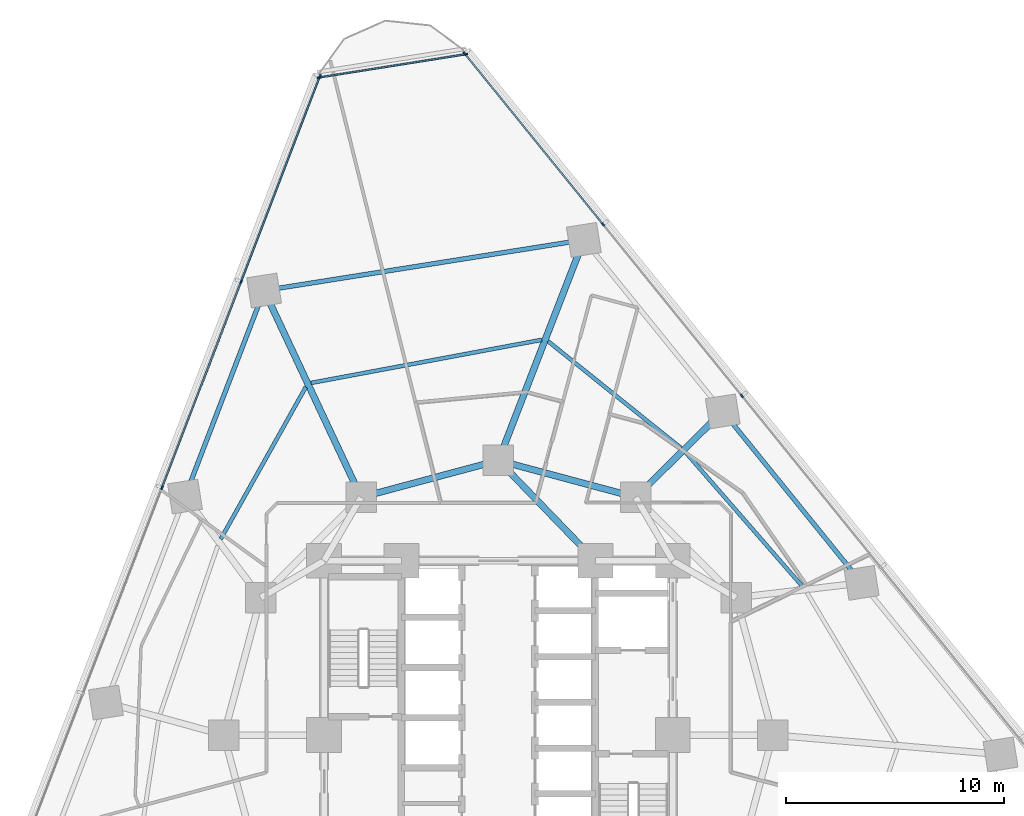
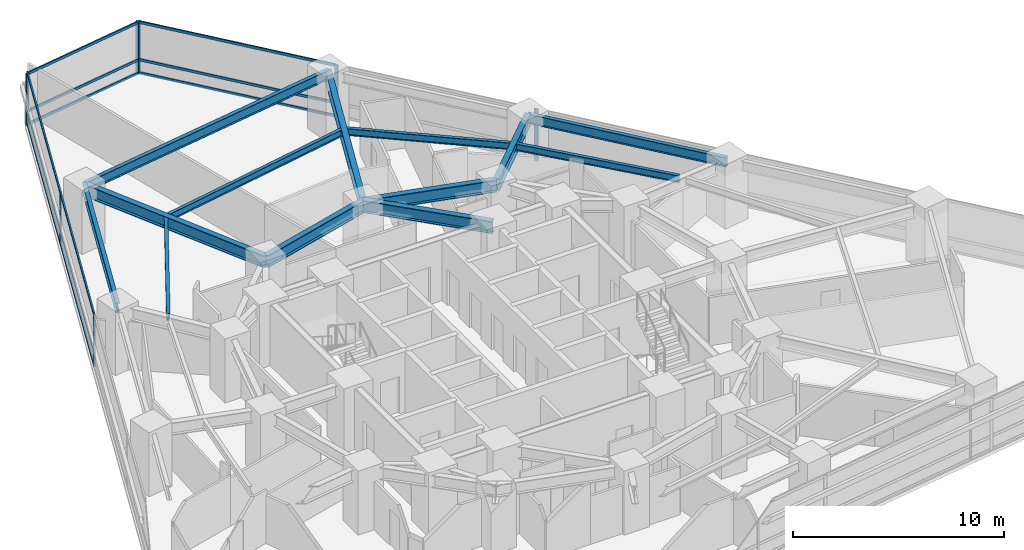
# One storey, part 5 of 14: 20 members, 13 beams, 3 elements without a shape of their own.
"""IFC4 building model written with IfcOpenShell, lengths in metres."""

from ifc_helpers import new_model, si_unit, direction, frame, origin, origin_2d, place, context, subcontext, project, spatial, rectangle, i_section, extrude, material, layer, layer_set, material_profile, profile_set, type_object, element, aggregate, save


model = new_model("IFC4")

# Units and contexts
model_context = context("Model", 3, precision=1e-05, world=origin(), true_north=direction((0.0, 1.0)))
body_context = subcontext(model_context, "Body", "Model", "MODEL_VIEW")
ifc_project = project(units=[si_unit("LENGTHUNIT", "METRE"), si_unit("AREAUNIT", "SQUARE_METRE"), si_unit("VOLUMEUNIT", "CUBIC_METRE"), si_unit("PLANEANGLEUNIT", "RADIAN"), si_unit("MASSUNIT", "GRAM", prefix="KILO")], contexts=[model_context])

# Site, building, storey
site_placement = place(None, origin())
site = spatial("IfcSite", under=ifc_project, at=site_placement, CompositionType="ELEMENT")
building_placement = place(site_placement, origin())
building = spatial("IfcBuilding", under=site, at=building_placement, Name="Terralouvre Media Tower", CompositionType="ELEMENT")
storey_placement = place(building_placement, frame((0.0, 0.0, 66.699951171875)))
storey = spatial("IfcBuildingStorey", under=building, at=storey_placement, Name="L16", CompositionType="ELEMENT", Elevation=66.699951171875)

# Beams
ifc_material_1 = material(Name="Structural steel S355J2", Category="steel")
ifc_material_profile_1 = material_profile(ifc_material_1, i_section(OverallWidth=0.179931640625, OverallDepth=0.39990234375, WebThickness=0.008544921875, FlangeThickness=0.013427734375, at=origin_2d()), Name="IPE 400")
ifc_profile_set_1 = profile_set([ifc_material_profile_1], Name="Structural steel S355J2")
beam_type_1 = type_object("IfcBeamType", Name="Composite Floor Joist J-IPE400 (IPE 400)", PredefinedType="JOIST", material=ifc_profile_set_1)
beam_1_placement = place(storey_placement, frame((13.96044921875, 6.810791015625, 3.300048828125), z_axis=(-0.656991876482, 0.753897655014, 0.0), x_axis=(-0.753897655014, -0.656991876482, 0.0)))
element("IfcBeam", 1, at=beam_1_placement, inside=storey, type_object=beam_type_1, Name="L16 Framing Beam JT-L16-07", PredefinedType="JOIST", context=body_context, shape_type="SweptSolid", body=[
    extrude(i_section(OverallWidth=0.179931640625, OverallDepth=0.39990234375, WebThickness=0.008544921875, FlangeThickness=0.013427734375, at=origin_2d()), origin(), (0.0, 0.0, 1.0), 8.165283203125),
])
beam_2_placement = place(storey_placement, frame((8.380615234375, 13.173583984375, 3.300048828125), z_axis=(-0.779905972593, 0.62589669588, 0.0), x_axis=(-0.62589669588, -0.779905972593, 0.0)))
element("IfcBeam", 2, at=beam_2_placement, inside=storey, type_object=beam_type_1, Name="L16 Framing Beam JT-L16-08", PredefinedType="JOIST", context=body_context, shape_type="SweptSolid", body=[
    extrude(i_section(OverallWidth=0.179931640625, OverallDepth=0.39990234375, WebThickness=0.008544921875, FlangeThickness=0.013427734375, at=origin_2d()), origin(), (0.0, 0.0, 1.0), 7.82470703125),
])
beam_3_placement = place(storey_placement, frame((1.985595703125, 18.13623046875, 3.300048828125), z_axis=(-0.982984181952, -0.183690223017, 0.0), x_axis=(0.183690223017, -0.982984181952, 0.0)))
element("IfcBeam", 3, at=beam_3_placement, inside=storey, type_object=beam_type_1, Name="L16 Framing Beam JT-L16-09", PredefinedType="JOIST", context=body_context, shape_type="SweptSolid", body=[
    extrude(i_section(OverallWidth=0.179931640625, OverallDepth=0.39990234375, WebThickness=0.008544921875, FlangeThickness=0.013427734375, at=origin_2d()), origin(), (0.0, 0.0, 1.0), 10.766845703125),
])
beam_4_placement = place(storey_placement, frame((-8.837646484375, 15.97119140625, 3.300048828125), z_axis=(-0.488342920388, -0.87265181608, 0.0), x_axis=(0.87265181608, -0.488342920388, 0.0)))
element("IfcBeam", 4, at=beam_4_placement, inside=storey, type_object=beam_type_1, Name="L16 Framing Beam JT-L16-10", PredefinedType="JOIST", context=body_context, shape_type="SweptSolid", body=[
    extrude(i_section(OverallWidth=0.179931640625, OverallDepth=0.39990234375, WebThickness=0.008544921875, FlangeThickness=0.013427734375, at=origin_2d()), origin(), (0.0, 0.0, 1.0), 7.992919921875),
])

# Curtain wall, members
ifc_material_2 = material(Name="Low-iron laminated double glazing with solar-control coating", Category="glass")
ifc_layer_1 = layer(ifc_material_2, 0.1650390625, Name="Lower Media Tower Unitised Curtain Wall CW-02")
ifc_layer_set_1 = layer_set([ifc_layer_1], Name="Low-iron laminated double glazing with solar-control coating")
curtain_wall_type_1 = type_object("IfcCurtainWallType", Name="Lower Media Tower Unitised Curtain Wall CW-02", PredefinedType="NOTDEFINED", material=ifc_layer_set_1)
curtain_wall_1_placement = place(storey_placement, origin())
curtain_wall_1 = element("IfcCurtainWall", 5, at=curtain_wall_1_placement, inside=storey, type_object=curtain_wall_type_1, Name="L16 Facade Curtain Wall F1", PredefinedType="NOTDEFINED")
ifc_material_3 = material(Name="Anodised extruded aluminium 6063-T6", Category="aluminium")
ifc_material_profile_2 = material_profile(ifc_material_3, rectangle(XDim=0.074951171875, YDim=0.14990234375, at=origin_2d()), Name="ALU 75x150")
ifc_profile_set_2 = profile_set([ifc_material_profile_2], Name="Anodised extruded aluminium 6063-T6")
member_type_1 = type_object("IfcMemberType", Name="Curtain-Wall Horizontal Transom TR-150", PredefinedType="USERDEFINED", material=ifc_profile_set_2)
member_1_placement = place(storey_placement, frame((4.7763671875, 23.46435546875, 0.03759765625), z_axis=(-0.629312521445, 0.777152334071, 0.0), x_axis=(-0.777152334071, -0.629312521445, 0.0)))
member_1 = element("IfcMember", 6, at=member_1_placement, type_object=member_type_1, Name="CW-02 transom 5.1", ObjectType="TRANSOM", PredefinedType="USERDEFINED", context=body_context, shape_type="SweptSolid", body=[
    extrude(rectangle(XDim=0.074951171875, YDim=0.14990234375, at=origin_2d()), origin(), (0.0, 0.0, 1.0), 10.015625),
])
member_2_placement = place(storey_placement, frame((4.7763671875, 23.46435546875, 0.800048828125), z_axis=(-0.629312521445, 0.777152334071, 0.0), x_axis=(-0.777152334071, -0.629312521445, 0.0)))
member_2 = element("IfcMember", 7, at=member_2_placement, type_object=member_type_1, Name="CW-02 transom 5.2", ObjectType="TRANSOM", PredefinedType="USERDEFINED", context=body_context, shape_type="SweptSolid", body=[
    extrude(rectangle(XDim=0.074951171875, YDim=0.14990234375, at=origin_2d()), origin(), (0.0, 0.0, 1.0), 10.015625),
])
member_3_placement = place(storey_placement, frame((4.7763671875, 23.46435546875, 2.962646484375), z_axis=(-0.629312521445, 0.777152334071, 0.0), x_axis=(-0.777152334071, -0.629312521445, 0.0)))
member_3 = element("IfcMember", 8, at=member_3_placement, type_object=member_type_1, Name="CW-02 transom 5.3", ObjectType="TRANSOM", PredefinedType="USERDEFINED", context=body_context, shape_type="SweptSolid", body=[
    extrude(rectangle(XDim=0.074951171875, YDim=0.14990234375, at=origin_2d()), origin(), (0.0, 0.0, 1.0), 10.015625),
])

curtain_wall_2_placement = place(storey_placement, origin())
curtain_wall_2 = element("IfcCurtainWall", 9, at=curtain_wall_2_placement, inside=storey, type_object=curtain_wall_type_1, Name="L16 Facade Curtain Wall F2", PredefinedType="NOTDEFINED")
member_4_placement = place(storey_placement, frame((-8.2041015625, 30.1904296875, 0.03759765625), z_axis=(-0.358376263354, -0.933577235083, 0.0), x_axis=(0.933577235083, -0.358376263354, 0.0)))
member_4 = element("IfcMember", 10, at=member_4_placement, type_object=member_type_1, Name="CW-02 transom 1.1", ObjectType="TRANSOM", PredefinedType="USERDEFINED", context=body_context, shape_type="SweptSolid", body=[
    extrude(rectangle(XDim=0.074951171875, YDim=0.14990234375, at=origin_2d()), origin(), (0.0, 0.0, 1.0), 10.015625),
])
member_5_placement = place(storey_placement, frame((-8.2041015625, 30.1904296875, 0.800048828125), z_axis=(-0.358376263354, -0.933577235083, 0.0), x_axis=(0.933577235083, -0.358376263354, 0.0)))
member_5 = element("IfcMember", 11, at=member_5_placement, type_object=member_type_1, Name="CW-02 transom 1.2", ObjectType="TRANSOM", PredefinedType="USERDEFINED", context=body_context, shape_type="SweptSolid", body=[
    extrude(rectangle(XDim=0.074951171875, YDim=0.14990234375, at=origin_2d()), origin(), (0.0, 0.0, 1.0), 10.015625),
])
member_6_placement = place(storey_placement, frame((-8.2041015625, 30.1904296875, 2.962646484375), z_axis=(-0.358376263354, -0.933577235083, 0.0), x_axis=(0.933577235083, -0.358376263354, 0.0)))
member_6 = element("IfcMember", 12, at=member_6_placement, type_object=member_type_1, Name="CW-02 transom 1.3", ObjectType="TRANSOM", PredefinedType="USERDEFINED", context=body_context, shape_type="SweptSolid", body=[
    extrude(rectangle(XDim=0.074951171875, YDim=0.14990234375, at=origin_2d()), origin(), (0.0, 0.0, 1.0), 10.015625),
])
member_7_placement = place(storey_placement, frame((-11.8203125, 20.77001953125, 0.03759765625), z_axis=(-0.358357340084, -0.933584499019, 0.0), x_axis=(0.933584499019, -0.358357340084, 0.0)))
member_7 = element("IfcMember", 13, at=member_7_placement, type_object=member_type_1, Name="CW-02 transom 2.1", ObjectType="TRANSOM", PredefinedType="USERDEFINED", context=body_context, shape_type="SweptSolid", body=[
    extrude(rectangle(XDim=0.074951171875, YDim=0.14990234375, at=origin_2d()), origin(), (0.0, 0.0, 1.0), 10.052978515625),
])
member_8_placement = place(storey_placement, frame((-11.8203125, 20.77001953125, 0.800048828125), z_axis=(-0.358357340084, -0.933584499019, 0.0), x_axis=(0.933584499019, -0.358357340084, 0.0)))
member_8 = element("IfcMember", 14, at=member_8_placement, type_object=member_type_1, Name="CW-02 transom 2.2", ObjectType="TRANSOM", PredefinedType="USERDEFINED", context=body_context, shape_type="SweptSolid", body=[
    extrude(rectangle(XDim=0.074951171875, YDim=0.14990234375, at=origin_2d()), origin(), (0.0, 0.0, 1.0), 10.052978515625),
])
member_9_placement = place(storey_placement, frame((-11.8203125, 20.77001953125, 2.962646484375), z_axis=(-0.358357340084, -0.933584499019, 0.0), x_axis=(0.933584499019, -0.358357340084, 0.0)))
member_9 = element("IfcMember", 15, at=member_9_placement, type_object=member_type_1, Name="CW-02 transom 2.3", ObjectType="TRANSOM", PredefinedType="USERDEFINED", context=body_context, shape_type="SweptSolid", body=[
    extrude(rectangle(XDim=0.074951171875, YDim=0.14990234375, at=origin_2d()), origin(), (0.0, 0.0, 1.0), 10.052978515625),
])

ifc_material_4 = material(Name="Low-iron laminated double glazing with solar-control coating", Category="glass")
ifc_layer_2 = layer(ifc_material_4, 0.1650390625, Name="Rounded Wind-Corner Curved Glazing CW-04")
ifc_layer_set_2 = layer_set([ifc_layer_2], Name="Low-iron laminated double glazing with solar-control coating")
curtain_wall_type_2 = type_object("IfcCurtainWallType", Name="Rounded Wind-Corner Curved Glazing CW-04", PredefinedType="NOTDEFINED", material=ifc_layer_set_2)
curtain_wall_3_placement = place(storey_placement, origin())
curtain_wall_3 = element("IfcCurtainWall", 16, at=curtain_wall_3_placement, inside=storey, type_object=curtain_wall_type_2, Name="L16 Rounded Wind-Corner Curtain Wall C2", PredefinedType="NOTDEFINED")
member_10_placement = place(storey_placement, frame((-1.53271484375, 31.231689453125, 0.03759765625), z_axis=(-0.987688588398, -0.156432900464, 0.0), x_axis=(0.156432900464, -0.987688588398, 0.0)))
member_10 = element("IfcMember", 17, at=member_10_placement, type_object=member_type_1, Name="CW-04 transom 1.1", ObjectType="TRANSOM", PredefinedType="USERDEFINED", context=body_context, shape_type="SweptSolid", body=[
    extrude(rectangle(XDim=0.074951171875, YDim=0.14990234375, at=origin_2d()), origin(), (0.0, 0.0, 1.0), 6.74365234375),
])
member_11_placement = place(storey_placement, frame((-1.53271484375, 31.231689453125, 0.800048828125), z_axis=(-0.987688588398, -0.156432900464, 0.0), x_axis=(0.156432900464, -0.987688588398, 0.0)))
member_11 = element("IfcMember", 18, at=member_11_placement, type_object=member_type_1, Name="CW-04 transom 1.2", ObjectType="TRANSOM", PredefinedType="USERDEFINED", context=body_context, shape_type="SweptSolid", body=[
    extrude(rectangle(XDim=0.074951171875, YDim=0.14990234375, at=origin_2d()), origin(), (0.0, 0.0, 1.0), 6.74365234375),
])
member_12_placement = place(storey_placement, frame((-1.53271484375, 31.231689453125, 2.962646484375), z_axis=(-0.987688588398, -0.156432900464, 0.0), x_axis=(0.156432900464, -0.987688588398, 0.0)))
member_12 = element("IfcMember", 19, at=member_12_placement, type_object=member_type_1, Name="CW-04 transom 1.3", ObjectType="TRANSOM", PredefinedType="USERDEFINED", context=body_context, shape_type="SweptSolid", body=[
    extrude(rectangle(XDim=0.074951171875, YDim=0.14990234375, at=origin_2d()), origin(), (0.0, 0.0, 1.0), 6.74365234375),
])

# Member
ifc_material_5 = material(Name="Anodised extruded aluminium 6063-T6", Category="aluminium")
ifc_material_profile_3 = material_profile(ifc_material_5, rectangle(XDim=0.074951171875, YDim=0.179931640625, at=origin_2d()), Name="ALU 75x180")
ifc_profile_set_3 = profile_set([ifc_material_profile_3], Name="Anodised extruded aluminium 6063-T6")
member_type_2 = type_object("IfcMemberType", Name="Curtain-Wall Vertical Mullion ML-180", PredefinedType="MULLION", material=ifc_profile_set_3)
member_13_placement = place(storey_placement, frame((11.173583984375, 15.564453125, 0.0), z_axis=(0.0, 0.0, 1.0), x_axis=(-0.777145994276, -0.629320350521, 0.0)))
member_13 = element("IfcMember", 20, at=member_13_placement, type_object=member_type_2, Name="CW-02 mullion 4", PredefinedType="MULLION", context=body_context, shape_type="SweptSolid", body=[
    extrude(rectangle(XDim=0.074951171875, YDim=0.179931640625, at=origin_2d()), origin(), (0.0, 0.0, 1.0), 3.0),
])

member_14_placement = place(storey_placement, frame((4.7998046875, 23.435302734375, 0.0), z_axis=(0.0, 0.0, 1.0), x_axis=(-0.777145994276, -0.629320350521, 0.0)))
member_14 = element("IfcMember", 21, at=member_14_placement, type_object=member_type_2, Name="CW-02 mullion 5", PredefinedType="MULLION", context=body_context, shape_type="SweptSolid", body=[
    extrude(rectangle(XDim=0.074951171875, YDim=0.179931640625, at=origin_2d()), origin(), (0.0, 0.0, 1.0), 3.0),
])

member_15_placement = place(storey_placement, frame((-1.55029296875, 31.277099609375, 0.0), z_axis=(0.0, 0.0, 1.0), x_axis=(-0.777145994276, -0.629320350521, 0.0)))
member_15 = element("IfcMember", 22, at=member_15_placement, type_object=member_type_2, Name="CW-02 mullion 6", PredefinedType="MULLION", context=body_context, shape_type="SweptSolid", body=[
    extrude(rectangle(XDim=0.074951171875, YDim=0.179931640625, at=origin_2d()), origin(), (0.0, 0.0, 1.0), 3.0),
])

aggregate(curtain_wall_1, [member_13, member_14, member_15, member_1, member_2, member_3])

member_16_placement = place(storey_placement, frame((-8.190673828125, 30.225341796875, 0.0), z_axis=(0.0, 0.0, 1.0), x_axis=(0.933580438988, -0.358367917006, 0.0)))
member_16 = element("IfcMember", 23, at=member_16_placement, type_object=member_type_2, Name="CW-02 mullion 1", PredefinedType="MULLION", context=body_context, shape_type="SweptSolid", body=[
    extrude(rectangle(XDim=0.074951171875, YDim=0.179931640625, at=origin_2d()), origin(), (0.0, 0.0, 1.0), 3.0),
])

member_17_placement = place(storey_placement, frame((-11.806884765625, 20.80517578125, 0.0), z_axis=(0.0, 0.0, 1.0), x_axis=(0.933580438988, -0.358367917006, 0.0)))
member_17 = element("IfcMember", 24, at=member_17_placement, type_object=member_type_2, Name="CW-02 mullion 2", PredefinedType="MULLION", context=body_context, shape_type="SweptSolid", body=[
    extrude(rectangle(XDim=0.074951171875, YDim=0.179931640625, at=origin_2d()), origin(), (0.0, 0.0, 1.0), 3.0),
])

member_18_placement = place(storey_placement, frame((-15.436279296875, 11.349853515625, 0.0), z_axis=(0.0, 0.0, 1.0), x_axis=(0.933580438988, -0.358367917006, 0.0)))
member_18 = element("IfcMember", 25, at=member_18_placement, type_object=member_type_2, Name="CW-02 mullion 3", PredefinedType="MULLION", context=body_context, shape_type="SweptSolid", body=[
    extrude(rectangle(XDim=0.074951171875, YDim=0.179931640625, at=origin_2d()), origin(), (0.0, 0.0, 1.0), 3.0),
])

aggregate(curtain_wall_2, [member_16, member_17, member_18, member_4, member_5, member_6, member_7, member_8, member_9])

member_19_placement = place(storey_placement, frame((-1.495849609375, 31.237548828125, 0.0), z_axis=(0.0, 0.0, 1.0), x_axis=(0.156434386502, -0.987688353034, 0.0)))
member_19 = element("IfcMember", 26, at=member_19_placement, type_object=member_type_2, Name="CW-04 mullion 1", PredefinedType="MULLION", context=body_context, shape_type="SweptSolid", body=[
    extrude(rectangle(XDim=0.074951171875, YDim=0.179931640625, at=origin_2d()), origin(), (0.0, 0.0, 1.0), 3.0),
])

member_20_placement = place(storey_placement, frame((-8.23046875, 30.1708984375, 0.0), z_axis=(0.0, 0.0, 1.0), x_axis=(0.156434386502, -0.987688353034, 0.0)))
member_20 = element("IfcMember", 27, at=member_20_placement, type_object=member_type_2, Name="CW-04 mullion 2", PredefinedType="MULLION", context=body_context, shape_type="SweptSolid", body=[
    extrude(rectangle(XDim=0.074951171875, YDim=0.179931640625, at=origin_2d()), origin(), (0.0, 0.0, 1.0), 3.0),
])

aggregate(curtain_wall_3, [member_19, member_20, member_10, member_11, member_12])

# Beams
ifc_material_6 = material(Name="Structural steel S355J2", Category="steel")
ifc_material_profile_4 = material_profile(ifc_material_6, i_section(OverallWidth=0.2099609375, OverallDepth=0.550048828125, WebThickness=0.010986328125, FlangeThickness=0.01708984375, at=origin_2d()), Name="IPE 550")
ifc_profile_set_4 = profile_set([ifc_material_profile_4], Name="Structural steel S355J2")
beam_type_2 = type_object("IfcBeamType", Name="Perimeter Spandrel Beam SPB-550 (IPE 550)", PredefinedType="SPANDREL", material=ifc_profile_set_4)
beam_5_placement = place(storey_placement, frame((16.669189453125, 6.982421875, 3.22509765625), z_axis=(-0.629325814949, 0.777141569239, 0.0), x_axis=(-0.777141569239, -0.629325814949, 0.0)))
element("IfcBeam", 28, at=beam_5_placement, inside=storey, type_object=beam_type_2, Name="L16 Framing Beam BM-L16-PR07", PredefinedType="SPANDREL", context=body_context, shape_type="SweptSolid", body=[
    extrude(i_section(OverallWidth=0.2099609375, OverallDepth=0.550048828125, WebThickness=0.010986328125, FlangeThickness=0.01708984375, at=origin_2d()), origin(), (0.0, 0.0, 1.0), 10.1279296875),
])
beam_6_placement = place(storey_placement, frame((3.921630859375, 22.72412109375, 3.22509765625), z_axis=(-0.98768930547, -0.156428372939, 0.0), x_axis=(0.156428372939, -0.98768930547, 0.0)))
element("IfcBeam", 29, at=beam_6_placement, inside=storey, type_object=beam_type_2, Name="L16 Framing Beam BM-L16-PR09", PredefinedType="SPANDREL", context=body_context, shape_type="SweptSolid", body=[
    extrude(i_section(OverallWidth=0.2099609375, OverallDepth=0.550048828125, WebThickness=0.010986328125, FlangeThickness=0.01708984375, at=origin_2d()), origin(), (0.0, 0.0, 1.0), 14.8564453125),
])
beam_7_placement = place(storey_placement, frame((-10.751953125, 20.400146484375, 3.22509765625), z_axis=(-0.358353868481, -0.933585831589, 0.0), x_axis=(0.933585831589, -0.358353868481, 0.0)))
element("IfcBeam", 30, at=beam_7_placement, inside=storey, type_object=beam_type_2, Name="L16 Framing Beam BM-L16-PR10", PredefinedType="SPANDREL", context=body_context, shape_type="SweptSolid", body=[
    extrude(i_section(OverallWidth=0.2099609375, OverallDepth=0.550048828125, WebThickness=0.010986328125, FlangeThickness=0.01708984375, at=origin_2d()), origin(), (0.0, 0.0, 1.0), 10.1279296875),
])
ifc_material_7 = material(Name="Structural steel S460M", Category="steel")
ifc_material_profile_5 = material_profile(ifc_material_7, i_section(OverallWidth=0.300048828125, OverallDepth=0.699951171875, WebThickness=0.01708984375, FlangeThickness=0.031982421875, at=origin_2d()), Name="HEB 700")
ifc_profile_set_5 = profile_set([ifc_material_profile_5], Name="Structural steel S460M")
beam_type_3 = type_object("IfcBeamType", Name="Primary Floor Girder B-HEB700 (HEB 700)", PredefinedType="BEAM", material=ifc_profile_set_5)
for number, where, z_axis, x_axis, name in (
    (31, (6.300048828125, 10.911865234375, 3.150146484375), (-0.965920481897, 0.258838989821, 0.0), (-0.258838989821, -0.965920481897, 0.0), "L16 Framing Beam BM-L16-MR08"),
    (32, (0.0, 12.60009765625, 3.150146484375), (-0.965920481897, -0.258838989821, 0.0), (0.258838989821, -0.965920481897, 0.0), "L16 Framing Beam BM-L16-MR09"),
):
    element("IfcBeam", number, at=place(storey_placement, frame(where, z_axis=z_axis, x_axis=x_axis)), inside=storey, type_object=beam_type_3, Name=name, PredefinedType="BEAM", context=body_context, shape_type="SweptSolid", body=[
        extrude(i_section(OverallWidth=0.300048828125, OverallDepth=0.699951171875, WebThickness=0.01708984375, FlangeThickness=0.031982421875, at=origin_2d()), origin(), (0.0, 0.0, 1.0), 6.522216796875),
    ])
beam_8_placement = place(storey_placement, frame((4.449951171875, 8.0, 3.150146484375), z_axis=(-0.695279715726, 0.718739255155, 0.0), x_axis=(-0.718739255155, -0.695279715726, 0.0)))
element("IfcBeam", 33, at=beam_8_placement, inside=storey, type_object=beam_type_3, Name="L16 Framing Beam BM-L16-CM09", PredefinedType="BEAM", context=body_context, shape_type="SweptSolid", body=[
    extrude(i_section(OverallWidth=0.300048828125, OverallDepth=0.699951171875, WebThickness=0.01708984375, FlangeThickness=0.031982421875, at=origin_2d()), origin(), (0.0, 0.0, 1.0), 6.400146484375),
])
beam_9_placement = place(storey_placement, frame((6.300048828125, 10.911865234375, 3.150146484375), z_axis=(0.711897326367, 0.702283558623, 0.0), x_axis=(-0.702283558623, 0.711897326367, 0.0)))
element("IfcBeam", 34, at=beam_9_placement, inside=storey, type_object=beam_type_3, Name="L16 Framing Beam BM-L16-RD08", PredefinedType="BEAM", context=body_context, shape_type="SweptSolid", body=[
    extrude(i_section(OverallWidth=0.300048828125, OverallDepth=0.699951171875, WebThickness=0.01708984375, FlangeThickness=0.031982421875, at=origin_2d()), origin(), (0.0, 0.0, 1.0), 5.6123046875),
])
beam_10_placement = place(storey_placement, frame((0.0, 12.60009765625, 3.150146484375), z_axis=(0.361206690819, 0.93248577818, 0.0), x_axis=(-0.93248577818, 0.361206690819, 0.0)))
element("IfcBeam", 35, at=beam_10_placement, inside=storey, type_object=beam_type_3, Name="L16 Framing Beam BM-L16-RD09", PredefinedType="BEAM", context=body_context, shape_type="SweptSolid", body=[
    extrude(i_section(OverallWidth=0.300048828125, OverallDepth=0.699951171875, WebThickness=0.01708984375, FlangeThickness=0.031982421875, at=origin_2d()), origin(), (0.0, 0.0, 1.0), 10.85693359375),
])
beam_11_placement = place(storey_placement, frame((-6.300048828125, 10.911865234375, 3.150146484375), z_axis=(-0.42476805902, 0.905302212544, 0.0), x_axis=(-0.905302212544, -0.42476805902, 0.0)))
element("IfcBeam", 36, at=beam_11_placement, inside=storey, type_object=beam_type_3, Name="L16 Framing Beam BM-L16-RD10", PredefinedType="BEAM", context=body_context, shape_type="SweptSolid", body=[
    extrude(i_section(OverallWidth=0.300048828125, OverallDepth=0.699951171875, WebThickness=0.01708984375, FlangeThickness=0.031982421875, at=origin_2d()), origin(), (0.0, 0.0, 1.0), 10.480712890625),
])

save(model, "model.ifc")
